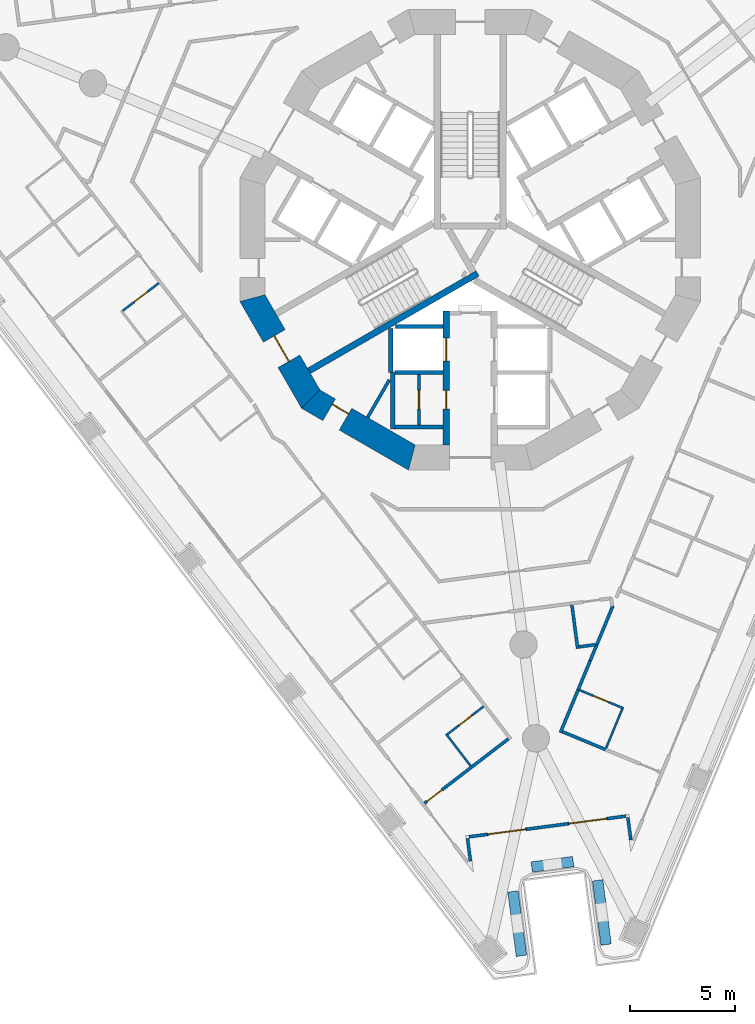
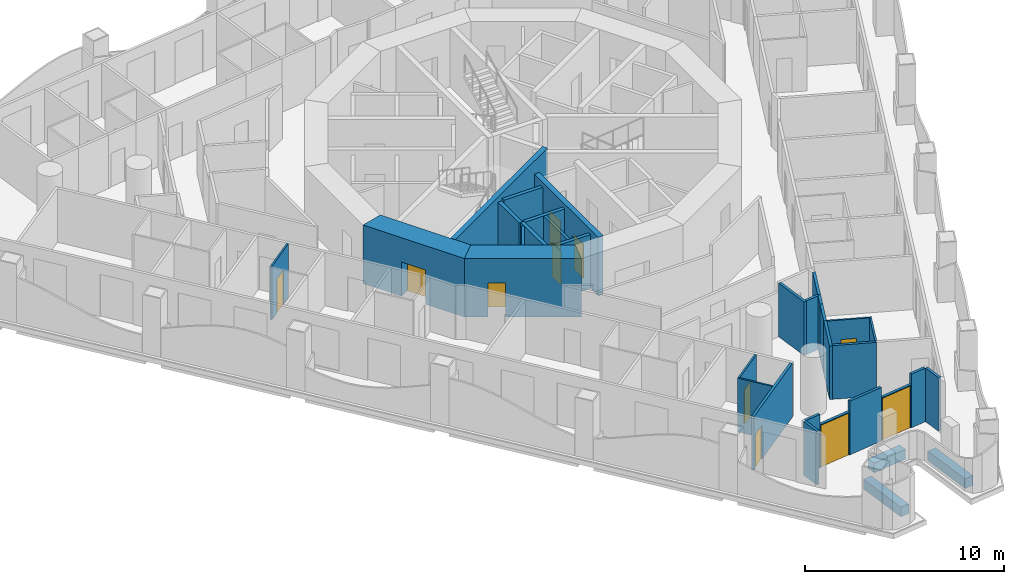
# One storey, part 3 of 19: 34 walls, 11 doors, 11 openings.
"""IFC4 building model written with IfcOpenShell, lengths in metres."""

from ifc_helpers import new_model, si_unit, direction, frame, frame_2d, origin, place, context, subcontext, project, spatial, polyline, rectangle, outline, extrude, material, layer, layer_set, type_object, element, fill, save


model = new_model("IFC4")

# Units and contexts
model_context = context("Model", 3, precision=1e-05, world=origin(), true_north=direction((0.0, 1.0)))
body_context = subcontext(model_context, "Body", "Model", "MODEL_VIEW")
ifc_project = project(units=[si_unit("LENGTHUNIT", "METRE"), si_unit("AREAUNIT", "SQUARE_METRE"), si_unit("VOLUMEUNIT", "CUBIC_METRE"), si_unit("PLANEANGLEUNIT", "RADIAN"), si_unit("MASSUNIT", "GRAM", prefix="KILO")], contexts=[model_context])

# Site, building, storey
site_placement = place(None, origin())
site = spatial("IfcSite", under=ifc_project, at=site_placement, CompositionType="ELEMENT")
building_placement = place(site_placement, origin())
building = spatial("IfcBuilding", under=site, at=building_placement, Name="Trine Commons Tower", CompositionType="ELEMENT")
storey_placement = place(building_placement, frame((0.0, 0.0, 64.800048828125)))
storey = spatial("IfcBuildingStorey", under=building, at=storey_placement, Name="L15", CompositionType="ELEMENT", Elevation=64.800048828125)

# Wall
ifc_material_1 = material(Name="Plasterboard partition on steel studs", Category="steel")
ifc_layer_1 = layer(ifc_material_1, 0.14990234375)
ifc_layer_set_1 = layer_set([ifc_layer_1], Name="Plasterboard partition on steel studs")
wall_type_1 = type_object("IfcWallType", Name="Core room partition 150 mm, EI 60", PredefinedType="PARTITIONING", material=ifc_layer_set_1)
wall_1_placement = place(storey_placement, frame((75.094970703125, 54.0029296875, 0.0), z_axis=(0.0, 0.0, 1.0), x_axis=(0.5000780968, 0.865980309881, 0.0)))
element("IfcWall", 1, at=wall_1_placement, inside=storey, type_object=wall_type_1, Name="Core room partition L15", PredefinedType="PARTITIONING", context=body_context, shape_type="SweptSolid", body=[
    extrude(rectangle(XDim=2.079833984375, YDim=0.14990234375, at=frame_2d((1.0400390625, 0.0))), origin(), (0.0, 0.0, 1.0), 3.300048828125),
])

# Wall, opening, door
wall_2_placement = place(storey_placement, frame((77.550048828125, 56.050048828125, 0.0), z_axis=(0.0, 0.0, 1.0), x_axis=(0.0, -1.0, 0.0)))
wall_2 = element("IfcWall", 2, at=wall_2_placement, inside=storey, type_object=wall_type_1, Name="Core room partition L15", PredefinedType="PARTITIONING", context=body_context, shape_type="SweptSolid", body=[
    extrude(rectangle(XDim=2.400146484375, YDim=0.14990234375, at=frame_2d((1.2001953125, 0.0))), origin(), (0.0, 0.0, 1.0), 3.300048828125),
])
opening_1_placement = place(wall_2_placement, frame((0.75, 0.0, 0.0)))
opening_1 = element("IfcOpeningElement", 3, at=opening_1_placement, cuts=wall_2, Name="Opening K06.11", PredefinedType="OPENING", context=body_context, shape_type="SweptSolid", body=[
    extrude(rectangle(XDim=0.89990234375, YDim=2.10009765625, at=frame_2d((0.449951171875, 1.050048828125))), frame((0.0, 0.0849609375, 0.0), z_axis=(0.0, -1.0, 0.0), x_axis=(1.0, 0.0, 0.0)), (0.0, 0.0, 1.0), 0.169921875),
])
ifc_material_2 = material(Name="Steel door leaf, fire-rated", Category="steel")
door_type_1 = type_object("IfcDoorType", Name="Core room door, single leaf 900 x 2100, FD30S", OperationType="SINGLE_SWING_LEFT", PredefinedType="DOOR", material=ifc_material_2)
door_1_placement = place(opening_1_placement, frame((0.89990234375, 0.0, 0.0), z_axis=(0.0, 0.0, 1.0), x_axis=(-1.0, 0.0, 0.0)))
door_1 = element("IfcDoor", 4, at=door_1_placement, inside=storey, type_object=door_type_1, Name="Door to Pantry L15", OperationType="SINGLE_SWING_LEFT", OverallHeight=2.10009765625, OverallWidth=0.89990234375, PredefinedType="DOOR", context=body_context, shape_type="SweptSolid", body=[
    extrude(rectangle(XDim=0.89990234375, YDim=2.10009765625, at=frame_2d((0.449951171875, 1.050048828125))), frame((0.0, 0.02490234375, 0.0), z_axis=(0.0, -1.0, 0.0), x_axis=(1.0, 0.0, 0.0)), (0.0, 0.0, 1.0), 0.050048828125),
])
fill(opening_1, door_1)

# Walls
ifc_material_3 = material(Name="Aluminium-framed insulated wall panel", Category="aluminium")
ifc_layer_2 = layer(ifc_material_3, 0.14990234375)
ifc_layer_set_2 = layer_set([ifc_layer_2], Name="Aluminium-framed insulated wall panel")
wall_type_2 = type_object("IfcWallType", Name="Glazed frame wall 150, EI 60", PredefinedType="SOLIDWALL", material=ifc_layer_set_2)
wall_3_placement = place(storey_placement, frame((87.6953125, 33.6591796875, 0.0), z_axis=(0.0, 0.0, 1.0), x_axis=(-0.130510858064, 0.991446880033, 0.0)))
element("IfcWall", 5, at=wall_3_placement, inside=storey, type_object=wall_type_2, Name="Glazed frame wall R9", PredefinedType="SOLIDWALL", context=body_context, shape_type="SweptSolid", body=[
    extrude(outline(polyline([(0.1494140625, 0.074951171875), (0.1494140625, -0.074951171875), (1.235107421875, -0.074951171875), (1.235107421875, 0.074951171875), (0.1494140625, 0.074951171875)])), origin(), (0.0, 0.0, 1.0), 3.300048828125),
])
wall_4_placement = place(storey_placement, frame((87.55908203125, 34.96240234375, 0.0), z_axis=(0.0, 0.0, 1.0), x_axis=(-0.991465094935, -0.130372410907, 0.0)))
element("IfcWall", 6, at=wall_4_placement, inside=storey, type_object=wall_type_2, Name="Glazed frame wall P3.1", PredefinedType="SOLIDWALL", context=body_context, shape_type="SweptSolid", body=[
    extrude(outline(polyline([(0.110107421875, -0.074951171875), (1.0, -0.074951171875), (1.0, 0.074951171875), (0.110107421875, 0.074951171875), (0.110107421875, -0.074951171875)])), origin(), (0.0, 0.0, 1.0), 3.300048828125),
])

# Wall, opening, door
wall_5_placement = place(storey_placement, frame((86.567626953125, 34.83203125, 0.0), z_axis=(0.0, 0.0, 1.0), x_axis=(-0.991442045538, -0.130547578832, 0.0)))
wall_5 = element("IfcWall", 7, at=wall_5_placement, inside=storey, type_object=wall_type_2, Name="Glazed frame wall P3.2", PredefinedType="SOLIDWALL", context=body_context, shape_type="SweptSolid", body=[
    extrude(outline(polyline([(0.0, -0.074951171875), (1.89990234375, -0.074951171875), (1.89990234375, 0.074951171875), (0.0, 0.074951171875), (0.0, -0.074951171875)])), origin(), (0.0, 0.0, 1.0), 2.64990234375),
])
opening_2_placement = place(wall_5_placement, frame((0.050048828125, 0.0, 0.0)))
opening_2 = element("IfcOpeningElement", 8, at=opening_2_placement, cuts=wall_5, Name="Opening BD-2P3-01", PredefinedType="OPENING", context=body_context, shape_type="SweptSolid", body=[
    extrude(rectangle(XDim=1.800048828125, YDim=2.60009765625, at=frame_2d((0.89990234375, 1.300048828125))), frame((0.0, 0.0849609375, 0.0), z_axis=(0.0, -1.0, 0.0), x_axis=(1.0, 0.0, 0.0)), (0.0, 0.0, 1.0), 0.169921875),
])
ifc_material_4 = material(Name="Anodised aluminium frame with double glazing", Category="aluminium")
door_type_2 = type_object("IfcDoorType", Name="Sliding loggia door 1800x2600", OperationType="SLIDING_TO_LEFT", PredefinedType="DOOR", material=ifc_material_4)
door_2_placement = place(opening_2_placement, origin())
door_2 = element("IfcDoor", 9, at=door_2_placement, inside=storey, type_object=door_type_2, Name="Loggia door P3 1", OperationType="SLIDING_TO_LEFT", OverallHeight=2.60009765625, OverallWidth=1.800048828125, PredefinedType="DOOR", context=body_context, shape_type="SweptSolid", body=[
    extrude(rectangle(XDim=1.800048828125, YDim=2.60009765625, at=frame_2d((0.89990234375, 1.300048828125))), frame((0.0, 0.02490234375, 0.0), z_axis=(0.0, -1.0, 0.0), x_axis=(1.0, 0.0, 0.0)), (0.0, 0.0, 1.0), 0.050048828125),
])
fill(opening_2, door_2)

# Wall
wall_6_placement = place(storey_placement, frame((84.683837890625, 34.583984375, 0.0), z_axis=(0.0, 0.0, 1.0), x_axis=(-0.991449308994, -0.130492404742, 0.0)))
element("IfcWall", 10, at=wall_6_placement, inside=storey, type_object=wall_type_2, Name="Glazed frame wall P3.3", PredefinedType="SOLIDWALL", context=body_context, shape_type="SweptSolid", body=[
    extrude(outline(polyline([(0.0, -0.074951171875), (2.0, -0.074951171875), (2.0, 0.074951171875), (0.0, 0.074951171875), (0.0, -0.074951171875)])), origin(), (0.0, 0.0, 1.0), 3.300048828125),
])

# Wall, opening, door
wall_7_placement = place(storey_placement, frame((82.700927734375, 34.322998046875, 0.0), z_axis=(0.0, 0.0, 1.0), x_axis=(-0.991442045538, -0.130547578832, 0.0)))
wall_7 = element("IfcWall", 11, at=wall_7_placement, inside=storey, type_object=wall_type_2, Name="Glazed frame wall P3.4", PredefinedType="SOLIDWALL", context=body_context, shape_type="SweptSolid", body=[
    extrude(outline(polyline([(0.0, -0.074951171875), (1.89990234375, -0.074951171875), (1.89990234375, 0.074951171875), (0.0, 0.074951171875), (0.0, -0.074951171875)])), origin(), (0.0, 0.0, 1.0), 2.64990234375),
])
opening_3_placement = place(wall_7_placement, frame((0.050048828125, 0.0, 0.0)))
opening_3 = element("IfcOpeningElement", 12, at=opening_3_placement, cuts=wall_7, Name="Opening BD-2P3-02", PredefinedType="OPENING", context=body_context, shape_type="SweptSolid", body=[
    extrude(rectangle(XDim=1.800048828125, YDim=2.60009765625, at=frame_2d((0.89990234375, 1.300048828125))), frame((0.0, 0.0849609375, 0.0), z_axis=(0.0, -1.0, 0.0), x_axis=(1.0, 0.0, 0.0)), (0.0, 0.0, 1.0), 0.169921875),
])
door_3_placement = place(opening_3_placement, origin())
door_3 = element("IfcDoor", 13, at=door_3_placement, inside=storey, type_object=door_type_2, Name="Loggia door P3 2", OperationType="SLIDING_TO_LEFT", OverallHeight=2.60009765625, OverallWidth=1.800048828125, PredefinedType="DOOR", context=body_context, shape_type="SweptSolid", body=[
    extrude(rectangle(XDim=1.800048828125, YDim=2.60009765625, at=frame_2d((0.89990234375, 1.300048828125))), frame((0.0, 0.02490234375, 0.0), z_axis=(0.0, -1.0, 0.0), x_axis=(1.0, 0.0, 0.0)), (0.0, 0.0, 1.0), 0.050048828125),
])
fill(opening_3, door_3)

# Walls
wall_8_placement = place(storey_placement, frame((80.817138671875, 34.074951171875, 0.0), z_axis=(0.0, 0.0, 1.0), x_axis=(-0.991433509034, -0.130612392842, 0.0)))
element("IfcWall", 14, at=wall_8_placement, inside=storey, type_object=wall_type_2, Name="Glazed frame wall P3.5", PredefinedType="SOLIDWALL", context=body_context, shape_type="SweptSolid", body=[
    extrude(outline(polyline([(0.889892578125, 0.074951171875), (0.0, 0.074951171875), (0.0, -0.074951171875), (0.889892578125, -0.074951171875), (0.889892578125, 0.074951171875)])), origin(), (0.0, 0.0, 1.0), 3.300048828125),
])
wall_9_placement = place(storey_placement, frame((79.85595703125, 33.983642578125, 0.0), z_axis=(0.0, 0.0, 1.0), x_axis=(0.130510858064, -0.991446880033, 0.0)))
element("IfcWall", 15, at=wall_9_placement, inside=storey, type_object=wall_type_2, Name="Glazed frame wall R11", PredefinedType="SOLIDWALL", context=body_context, shape_type="SweptSolid", body=[
    extrude(outline(polyline([(0.110107421875, 0.074951171875), (0.110107421875, -0.074951171875), (1.19580078125, -0.074951171875), (1.19580078125, 0.074951171875), (0.110107421875, 0.074951171875)])), origin(), (0.0, 0.0, 1.0), 3.300048828125),
])
ifc_material_5 = material(Name="Planter trough, precast concrete C40/50", Category="concrete")
ifc_layer_3 = layer(ifc_material_5, 0.5)
ifc_layer_set_3 = layer_set([ifc_layer_3], Name="Planter trough, precast concrete C40/50")
wall_type_3 = type_object("IfcWallType", Name="Planter trough 500x600", PredefinedType="PARAPET", material=ifc_layer_set_3)
wall_10_placement = place(storey_placement, frame((86.493408203125, 28.805908203125, 0.0), z_axis=(0.0, 0.0, 1.0), x_axis=(-0.130507484591, 0.9914473241, 0.0)))
element("IfcWall", 16, at=wall_10_placement, inside=storey, type_object=wall_type_3, Name="Planter 7", PredefinedType="PARAPET", context=body_context, shape_type="SweptSolid", body=[
    extrude(rectangle(XDim=3.099853515625, YDim=0.5, at=frame_2d((1.5498046875, 0.0))), origin(), (0.0, 0.0, 1.0), 0.599853515625),
])
wall_11_placement = place(storey_placement, frame((84.922119140625, 32.774658203125, 0.0), z_axis=(0.0, 0.0, 1.0), x_axis=(-0.991433509034, -0.130612392842, 0.0)))
element("IfcWall", 17, at=wall_11_placement, inside=storey, type_object=wall_type_3, Name="Planter 8", PredefinedType="PARAPET", context=body_context, shape_type="SweptSolid", body=[
    extrude(rectangle(XDim=2.0, YDim=0.5, at=frame_2d((1.0, 0.0))), origin(), (0.0, 0.0, 1.0), 0.599853515625),
])
wall_12_placement = place(storey_placement, frame((82.043701171875, 31.3466796875, 0.0), z_axis=(0.0, 0.0, 1.0), x_axis=(0.130574707151, -0.991438473054, 0.0)))
element("IfcWall", 18, at=wall_12_placement, inside=storey, type_object=wall_type_3, Name="Planter 9", PredefinedType="PARAPET", context=body_context, shape_type="SweptSolid", body=[
    extrude(rectangle(XDim=3.10009765625, YDim=0.5, at=frame_2d((1.550048828125, 0.0))), origin(), (0.0, 0.0, 1.0), 0.599853515625),
])

# Wall, opening, door
ifc_material_6 = material(Name="Concrete C80/95", Category="concrete")
ifc_layer_4 = layer(ifc_material_6, 1.199951171875)
ifc_layer_set_4 = layer_set([ifc_layer_4], Name="Concrete C80/95")
wall_type_4 = type_object("IfcWallType", Name="RC shear wall 1200 mm, C80/95", PredefinedType="SHEAR", material=ifc_layer_set_4)
wall_13_placement = place(storey_placement, frame((69.508056640625, 59.849609375, 0.0), z_axis=(0.0, 0.0, 1.0), x_axis=(0.499979111662, -0.866037463336, 0.0)))
wall_13 = element("IfcWall", 19, at=wall_13_placement, inside=storey, type_object=wall_type_4, Name="Core wall CWB-08 L15", PredefinedType="SHEAR", context=body_context, shape_type="SweptSolid", body=[
    extrude(outline(polyline([(0.0, -0.60009765625), (5.901123046875, -0.60009765625), (5.57958984375, 0.60009765625), (0.321533203125, 0.60009765625), (0.0, -0.60009765625)])), origin(), (0.0, 0.0, 1.0), 3.599853515625),
])
opening_4_placement = place(wall_13_placement, frame((2.25048828125, 0.0, 0.0)))
opening_4 = element("IfcOpeningElement", 20, at=opening_4_placement, cuts=wall_13, Name="Opening K06.02", PredefinedType="OPENING", context=body_context, shape_type="SweptSolid", body=[
    extrude(rectangle(XDim=1.39990234375, YDim=2.10009765625, at=frame_2d((0.699951171875, 1.050048828125))), frame((0.0, 0.60986328125, 0.0), z_axis=(0.0, -1.0, 0.0), x_axis=(1.0, 0.0, 0.0)), (0.0, 0.0, 1.0), 1.219970703125),
])
ifc_material_7 = material(Name="Steel door leaves, fire-rated", Category="steel")
door_type_3 = type_object("IfcDoorType", Name="Stair door, double leaf 1400 x 2100, FD90", OperationType="DOUBLE_DOOR_SINGLE_SWING", PredefinedType="DOOR", material=ifc_material_7)
door_4_placement = place(opening_4_placement, origin())
door_4 = element("IfcDoor", 21, at=door_4_placement, inside=storey, type_object=door_type_3, Name="Stair door to Exit stair ST2A L15", OperationType="DOUBLE_DOOR_SINGLE_SWING", OverallHeight=2.10009765625, OverallWidth=1.39990234375, PredefinedType="DOOR", context=body_context, shape_type="SweptSolid", body=[
    extrude(rectangle(XDim=1.39990234375, YDim=2.10009765625, at=frame_2d((0.699951171875, 1.050048828125))), frame((0.0, 0.02490234375, 0.0), z_axis=(0.0, -1.0, 0.0), x_axis=(1.0, 0.0, 0.0)), (0.0, 0.0, 1.0), 0.050048828125),
])
fill(opening_4, door_4)

wall_14_placement = place(storey_placement, frame((72.239013671875, 54.95849609375, 0.0), z_axis=(0.0, 0.0, 1.0), x_axis=(0.866037463336, -0.499979111662, 0.0)))
wall_14 = element("IfcWall", 22, at=wall_14_placement, inside=storey, type_object=wall_type_4, Name="Core wall CWB-09 L15", PredefinedType="SHEAR", context=body_context, shape_type="SweptSolid", body=[
    extrude(outline(polyline([(0.0, -0.60009765625), (5.901123046875, -0.60009765625), (5.57958984375, 0.60009765625), (0.321533203125, 0.60009765625), (0.0, -0.60009765625)])), origin(), (0.0, 0.0, 1.0), 3.599853515625),
])
opening_5_placement = place(wall_14_placement, frame((1.176513671875, 0.0, 0.0)))
opening_5 = element("IfcOpeningElement", 23, at=opening_5_placement, cuts=wall_14, Name="Opening K06.15", PredefinedType="OPENING", context=body_context, shape_type="SweptSolid", body=[
    extrude(rectangle(XDim=0.89990234375, YDim=2.10009765625, at=frame_2d((0.449951171875, 1.050048828125))), frame((0.0, 0.60986328125, 0.0), z_axis=(0.0, -1.0, 0.0), x_axis=(1.0, 0.0, 0.0)), (0.0, 0.0, 1.0), 1.219970703125),
])
door_5_placement = place(opening_5_placement, origin())
door_5 = element("IfcDoor", 24, at=door_5_placement, inside=storey, type_object=door_type_1, Name="Door to Print room L15", OperationType="SINGLE_SWING_LEFT", OverallHeight=2.10009765625, OverallWidth=0.89990234375, PredefinedType="DOOR", context=body_context, shape_type="SweptSolid", body=[
    extrude(rectangle(XDim=0.89990234375, YDim=2.10009765625, at=frame_2d((0.449951171875, 1.050048828125))), frame((0.0, 0.3251953125, 0.0), z_axis=(0.0, -1.0, 0.0), x_axis=(1.0, 0.0, 0.0)), (0.0, 0.0, 1.0), 0.050048828125),
])
fill(opening_5, door_5)

# Wall, openings, doors
ifc_layer_5 = layer(ifc_material_6, 0.300048828125)
ifc_layer_set_5 = layer_set([ifc_layer_5], Name="Concrete C80/95")
wall_type_5 = type_object("IfcWallType", Name="RC shear wall 300 mm, C80/95", PredefinedType="SHEAR", material=ifc_layer_set_5)
wall_15_placement = place(storey_placement, frame((78.85009765625, 59.10009765625, 0.0), z_axis=(0.0, 0.0, 1.0), x_axis=(0.0, -1.0, 0.0)))
wall_15 = element("IfcWall", 25, at=wall_15_placement, inside=storey, type_object=wall_type_5, Name="Core cross wall SWA-03 L15", PredefinedType="SHEAR", context=body_context, shape_type="SweptSolid", body=[
    extrude(rectangle(XDim=6.412109375, YDim=0.300048828125, at=frame_2d((3.2060546875, 0.0))), origin(), (0.0, 0.0, 1.0), 3.599853515625),
])
opening_6_placement = place(wall_15_placement, frame((3.800048828125, 0.0, 0.0)))
opening_6 = element("IfcOpeningElement", 26, at=opening_6_placement, cuts=wall_15, Name="Opening K06.10", PredefinedType="OPENING", context=body_context, shape_type="SweptSolid", body=[
    extrude(rectangle(XDim=0.89990234375, YDim=2.10009765625, at=frame_2d((0.449951171875, 1.050048828125))), frame((0.0, 0.159912109375, 0.0), z_axis=(0.0, -1.0, 0.0), x_axis=(1.0, 0.0, 0.0)), (0.0, 0.0, 1.0), 0.320068359375),
])
opening_7_placement = place(wall_15_placement, frame((1.300048828125, 0.0, 0.0)))
opening_7 = element("IfcOpeningElement", 27, at=opening_7_placement, cuts=wall_15, Name="Opening LD10", PredefinedType="OPENING", context=body_context, shape_type="SweptSolid", body=[
    extrude(rectangle(XDim=1.10009765625, YDim=2.10009765625, at=frame_2d((0.550048828125, 1.050048828125))), frame((0.0, 0.159912109375, 0.0), z_axis=(0.0, -1.0, 0.0), x_axis=(1.0, 0.0, 0.0)), (0.0, 0.0, 1.0), 0.320068359375),
])
door_6_placement = place(opening_6_placement, frame((0.89990234375, 0.0, 0.0), z_axis=(0.0, 0.0, 1.0), x_axis=(-1.0, 0.0, 0.0)))
door_6 = element("IfcDoor", 28, at=door_6_placement, inside=storey, type_object=door_type_1, Name="Door to Linen store L15", OperationType="SINGLE_SWING_RIGHT", OverallHeight=2.10009765625, OverallWidth=0.89990234375, PredefinedType="DOOR", context=body_context, shape_type="SweptSolid", body=[
    extrude(rectangle(XDim=0.89990234375, YDim=2.10009765625, at=frame_2d((0.449951171875, 1.050048828125))), frame((0.0, 0.02490234375, 0.0), z_axis=(0.0, -1.0, 0.0), x_axis=(1.0, 0.0, 0.0)), (0.0, 0.0, 1.0), 0.050048828125),
])
fill(opening_6, door_6)
ifc_material_8 = material(Name="Stainless steel sliding door leaves", Category="steel")
door_type_4 = type_object("IfcDoorType", Name="Lift landing door, centre-opening sliding 1100 x 2100, FD90", OperationType="DOUBLE_DOOR_SLIDING", PredefinedType="DOOR", material=ifc_material_8)
door_7_placement = place(opening_7_placement, origin())
door_7 = element("IfcDoor", 29, at=door_7_placement, inside=storey, type_object=door_type_4, Name="Lift landing door FF2 L15", OperationType="DOUBLE_DOOR_SLIDING", OverallHeight=2.10009765625, OverallWidth=1.10009765625, PredefinedType="DOOR", context=body_context, shape_type="SweptSolid", body=[
    extrude(rectangle(XDim=1.10009765625, YDim=2.10009765625, at=frame_2d((0.550048828125, 1.050048828125))), frame((0.0, 0.02490234375, 0.0), z_axis=(0.0, -1.0, 0.0), x_axis=(1.0, 0.0, 0.0)), (0.0, 0.0, 1.0), 0.050048828125),
])
fill(opening_7, door_7)

# Walls
wall_16_placement = place(storey_placement, frame((80.35400390625, 60.885986328125, 0.0), z_axis=(0.0, 0.0, 1.0), x_axis=(-0.865986456211, -0.50006745311, 0.0)))
element("IfcWall", 30, at=wall_16_placement, inside=storey, type_object=wall_type_5, Name="Core cross wall SWA-14 L15", PredefinedType="SHEAR", context=body_context, shape_type="SweptSolid", body=[
    extrude(rectangle(XDim=9.310791015625, YDim=0.300048828125, at=frame_2d((4.6552734375, 0.0))), origin(), (0.0, 0.0, 1.0), 3.599853515625),
])
ifc_material_9 = material(Name="Fire-rated gypsum shaft wall system")
ifc_layer_6 = layer(ifc_material_9, 0.199951171875)
ifc_layer_set_6 = layer_set([ifc_layer_6], Name="Fire-rated gypsum shaft wall system")
wall_type_6 = type_object("IfcWallType", Name="Shaft wall 200 mm, EI 120", PredefinedType="PARTITIONING", material=ifc_layer_set_6)
wall_17_placement = place(storey_placement, frame((76.199951171875, 58.256103515625, 0.0), z_axis=(0.0, 0.0, 1.0), x_axis=(0.0, -1.0, 0.0)))
element("IfcWall", 31, at=wall_17_placement, inside=storey, type_object=wall_type_6, Name="Shaft wall L15", PredefinedType="PARTITIONING", context=body_context, shape_type="SweptSolid", body=[
    extrude(rectangle(XDim=2.106201171875, YDim=0.199951171875, at=frame_2d((1.05322265625, 0.0))), origin(), (0.0, 0.0, 1.0), 3.300048828125),
])
wall_18_placement = place(storey_placement, frame((76.300048828125, 56.14990234375, 0.0), z_axis=(0.0, 0.0, 1.0), x_axis=(0.0, -1.0, 0.0)))
element("IfcWall", 32, at=wall_18_placement, inside=storey, type_object=wall_type_6, Name="Shaft wall L15", PredefinedType="PARTITIONING", context=body_context, shape_type="SweptSolid", body=[
    extrude(rectangle(XDim=2.699951171875, YDim=0.199951171875, at=frame_2d((1.35009765625, 0.0))), origin(), (0.0, 0.0, 1.0), 3.300048828125),
])
for number, where, z_axis, x_axis, name in (
    (33, (78.699951171875, 53.550048828125, 0.0), (0.0, 0.0, 1.0), (-1.0, 0.0, 0.0), "Shaft wall L15"),
    (34, (78.699951171875, 56.14990234375, 0.0), (0.0, 0.0, 1.0), (-1.0, 0.0, 0.0), "Shaft wall L15"),
):
    element("IfcWall", number, at=place(storey_placement, frame(where, z_axis=z_axis, x_axis=x_axis)), inside=storey, type_object=wall_type_6, Name=name, PredefinedType="PARTITIONING", context=body_context, shape_type="SweptSolid", body=[
        extrude(rectangle(XDim=2.300048828125, YDim=0.199951171875, at=frame_2d((1.14990234375, 0.0))), origin(), (0.0, 0.0, 1.0), 3.300048828125),
    ])
wall_19_placement = place(storey_placement, frame((78.699951171875, 58.35009765625, 0.0), z_axis=(0.0, 0.0, 1.0), x_axis=(-1.0, 0.0, 0.0)))
element("IfcWall", 35, at=wall_19_placement, inside=storey, type_object=wall_type_6, Name="Shaft wall L15", PredefinedType="PARTITIONING", context=body_context, shape_type="SweptSolid", body=[
    extrude(rectangle(XDim=2.264892578125, YDim=0.199951171875, at=frame_2d((1.13232421875, 0.0))), origin(), (0.0, 0.0, 1.0), 3.300048828125),
])

# Wall, opening, door
ifc_material_10 = material(Name="Gypsum plasterboard on steel stud", Category="steel")
ifc_layer_7 = layer(ifc_material_10, 0.14990234375)
ifc_layer_set_7 = layer_set([ifc_layer_7], Name="Gypsum plasterboard on steel stud")
wall_type_7 = type_object("IfcWallType", Name="Unit and corridor wall 150 mm, EI 60", PredefinedType="PARTITIONING", material=ifc_layer_set_7)
wall_20_placement = place(storey_placement, frame((77.810791015625, 35.560302734375, 0.0), z_axis=(0.0, 0.0, 1.0), x_axis=(0.793261664916, 0.60888088406, 0.0)))
wall_20 = element("IfcWall", 36, at=wall_20_placement, inside=storey, type_object=wall_type_7, Name="Partition 074", PredefinedType="PARTITIONING", context=body_context, shape_type="SweptSolid", body=[
    extrude(rectangle(XDim=5.0634765625, YDim=0.14990234375, at=frame_2d((2.53173828125, 0.0))), origin(), (0.0, 0.0, 1.0), 3.300048828125),
])
opening_8_placement = place(wall_20_placement, frame((0.14990234375, 0.0, 0.0)))
opening_8 = element("IfcOpeningElement", 37, at=opening_8_placement, cuts=wall_20, Name="Opening D-2B23", PredefinedType="OPENING", context=body_context, shape_type="SweptSolid", body=[
    extrude(rectangle(XDim=0.89990234375, YDim=2.10009765625, at=frame_2d((0.449951171875, 1.050048828125))), frame((0.0, 0.0849609375, 0.0), z_axis=(0.0, -1.0, 0.0), x_axis=(1.0, 0.0, 0.0)), (0.0, 0.0, 1.0), 0.169921875),
])
ifc_material_11 = material(Name="Timber fire door set", Category="wood")
door_type_5 = type_object("IfcDoorType", Name="Bedroom door 900 x 2100, FD30S", OperationType="NOTDEFINED", PredefinedType="DOOR", material=ifc_material_11)
door_8_placement = place(opening_8_placement, origin())
door_8 = element("IfcDoor", 38, at=door_8_placement, inside=storey, type_object=door_type_5, Name="Door D-2B23", OperationType="SINGLE_SWING_LEFT", OverallHeight=2.10009765625, OverallWidth=0.89990234375, PredefinedType="DOOR", context=body_context, shape_type="SweptSolid", body=[
    extrude(rectangle(XDim=0.89990234375, YDim=2.10009765625, at=frame_2d((0.449951171875, 1.050048828125))), frame((0.0, 0.02490234375, 0.0), z_axis=(0.0, -1.0, 0.0), x_axis=(1.0, 0.0, 0.0)), (0.0, 0.0, 1.0), 0.050048828125),
])
fill(opening_8, door_8)

# Walls
wall_21_placement = place(storey_placement, frame((84.310302734375, 38.941650390625, 0.0), z_axis=(0.0, 0.0, 1.0), x_axis=(0.382789938294, 0.923835409118, 0.0)))
element("IfcWall", 39, at=wall_21_placement, inside=storey, type_object=wall_type_7, Name="Partition 085", PredefinedType="PARTITIONING", context=body_context, shape_type="SweptSolid", body=[
    extrude(rectangle(XDim=2.280029296875, YDim=0.14990234375, at=frame_2d((1.14013671875, 0.0))), origin(), (0.0, 0.0, 1.0), 3.300048828125),
])
wall_22_placement = place(storey_placement, frame((84.408203125, 38.982421875, 0.0), z_axis=(0.0, 0.0, 1.0), x_axis=(0.923765743921, -0.382958026888, 0.0)))
element("IfcWall", 40, at=wall_22_placement, inside=storey, type_object=wall_type_7, Name="Partition 086", PredefinedType="PARTITIONING", context=body_context, shape_type="SweptSolid", body=[
    extrude(rectangle(XDim=2.228759765625, YDim=0.14990234375, at=frame_2d((1.1142578125, 0.0))), origin(), (0.0, 0.0, 1.0), 3.300048828125),
])
wall_23_placement = place(storey_placement, frame((84.86083984375, 45.03759765625, 0.0), z_axis=(0.0, 0.0, 1.0), x_axis=(0.130899564309, -0.991395634479, 0.0)))
element("IfcWall", 41, at=wall_23_placement, inside=storey, type_object=wall_type_7, Name="Partition 088", PredefinedType="PARTITIONING", context=body_context, shape_type="SweptSolid", body=[
    extrude(rectangle(XDim=2.10009765625, YDim=0.14990234375, at=frame_2d((1.050048828125, 0.0))), origin(), (0.0, 0.0, 1.0), 3.300048828125),
])
wall_24_placement = place(storey_placement, frame((85.200439453125, 43.039794921875, 0.0), z_axis=(0.0, 0.0, 1.0), x_axis=(0.991515431038, 0.129989038049, 0.0)))
element("IfcWall", 42, at=wall_24_placement, inside=storey, type_object=wall_type_7, Name="Partition 089", PredefinedType="PARTITIONING", context=body_context, shape_type="SweptSolid", body=[
    extrude(rectangle(XDim=0.786865234375, YDim=0.14990234375, at=frame_2d((0.3935546875, 0.0))), origin(), (0.0, 0.0, 1.0), 3.300048828125),
])
wall_25_placement = place(storey_placement, frame((85.160888671875, 40.993896484375, 0.0), z_axis=(0.0, 0.0, 1.0), x_axis=(0.382519732759, 0.923947322118, 0.0)))
element("IfcWall", 43, at=wall_25_placement, inside=storey, type_object=wall_type_7, Name="Partition 090", PredefinedType="PARTITIONING", context=body_context, shape_type="SweptSolid", body=[
    extrude(rectangle(XDim=1.498046875, YDim=0.14990234375, at=frame_2d((0.7490234375, 0.0))), origin(), (0.0, 0.0, 1.0), 3.300048828125),
])
wall_26_placement = place(storey_placement, frame((85.73388671875, 42.3779296875, 0.0), z_axis=(0.0, 0.0, 1.0), x_axis=(0.383063523393, 0.923722002036, 0.0)))
element("IfcWall", 44, at=wall_26_placement, inside=storey, type_object=wall_type_7, Name="Partition 095", PredefinedType="PARTITIONING", context=body_context, shape_type="SweptSolid", body=[
    extrude(rectangle(XDim=0.838134765625, YDim=0.14990234375, at=frame_2d((0.4189453125, 0.0))), origin(), (0.0, 0.0, 1.0), 3.300048828125),
])
wall_27_placement = place(storey_placement, frame((86.054931640625, 43.152099609375, 0.0), z_axis=(0.0, 0.0, 1.0), x_axis=(0.382829605696, 0.923818971987, 0.0)))
element("IfcWall", 45, at=wall_27_placement, inside=storey, type_object=wall_type_7, Name="Partition 096", PredefinedType="PARTITIONING", context=body_context, shape_type="SweptSolid", body=[
    extrude(rectangle(XDim=2.00048828125, YDim=0.14990234375, at=frame_2d((1.000244140625, 0.0))), origin(), (0.0, 0.0, 1.0), 3.300048828125),
])

# Wall, opening, door
ifc_layer_8 = layer(ifc_material_10, 0.10009765625)
ifc_layer_set_8 = layer_set([ifc_layer_8], Name="Gypsum plasterboard on steel stud")
wall_type_8 = type_object("IfcWallType", Name="Unit partition 100 mm, no rating", PredefinedType="PARTITIONING", material=ifc_layer_set_8)
wall_28_placement = place(storey_placement, frame((63.388671875, 59.101318359375, 0.0), z_axis=(0.0, 0.0, 1.0), x_axis=(0.79342025342, 0.608674216197, 0.0)))
wall_28 = element("IfcWall", 46, at=wall_28_placement, inside=storey, type_object=wall_type_8, Name="Partition 024", PredefinedType="PARTITIONING", context=body_context, shape_type="SweptSolid", body=[
    extrude(rectangle(XDim=2.17529296875, YDim=0.10009765625, at=frame_2d((1.087646484375, 0.0))), origin(), (0.0, 0.0, 1.0), 3.300048828125),
])
opening_9_placement = place(wall_28_placement, frame((0.6875, 0.0, 0.0)))
opening_9 = element("IfcOpeningElement", 47, at=opening_9_placement, cuts=wall_28, Name="Opening D-2B55", PredefinedType="OPENING", context=body_context, shape_type="SweptSolid", body=[
    extrude(rectangle(XDim=0.800048828125, YDim=2.10009765625, at=frame_2d((0.39990234375, 1.050048828125))), frame((0.0, 0.06005859375, 0.0), z_axis=(0.0, -1.0, 0.0), x_axis=(1.0, 0.0, 0.0)), (0.0, 0.0, 1.0), 0.1201171875),
])
ifc_material_12 = material(Name="Painted timber", Category="wood")
door_type_6 = type_object("IfcDoorType", Name="Internal door 800 x 2100, NOT RATED", OperationType="NOTDEFINED", PredefinedType="DOOR", material=ifc_material_12)
door_9_placement = place(opening_9_placement, origin())
door_9 = element("IfcDoor", 48, at=door_9_placement, inside=storey, type_object=door_type_6, Name="Door D-2B55", OperationType="SINGLE_SWING_RIGHT", OverallHeight=2.10009765625, OverallWidth=0.800048828125, PredefinedType="DOOR", context=body_context, shape_type="SweptSolid", body=[
    extrude(rectangle(XDim=0.800048828125, YDim=2.10009765625, at=frame_2d((0.39990234375, 1.050048828125))), frame((0.0, 0.02490234375, 0.0), z_axis=(0.0, -1.0, 0.0), x_axis=(1.0, 0.0, 0.0)), (0.0, 0.0, 1.0), 0.050048828125),
])
fill(opening_9, door_9)

# Wall
wall_29_placement = place(storey_placement, frame((78.845703125, 38.875732421875, 0.0), z_axis=(0.0, 0.0, 1.0), x_axis=(0.608649853766, -0.793438942522, 0.0)))
element("IfcWall", 49, at=wall_29_placement, inside=storey, type_object=wall_type_8, Name="Partition 077", PredefinedType="PARTITIONING", context=body_context, shape_type="SweptSolid", body=[
    extrude(rectangle(XDim=1.925048828125, YDim=0.10009765625, at=frame_2d((0.96240234375, 0.0))), origin(), (0.0, 0.0, 1.0), 3.300048828125),
])

# Wall, opening, door
wall_30_placement = place(storey_placement, frame((78.915771484375, 38.866455078125, 0.0), z_axis=(0.0, 0.0, 1.0), x_axis=(0.793266438723, 0.608874664603, 0.0)))
wall_30 = element("IfcWall", 50, at=wall_30_placement, inside=storey, type_object=wall_type_8, Name="Partition 078", PredefinedType="PARTITIONING", context=body_context, shape_type="SweptSolid", body=[
    extrude(rectangle(XDim=2.174072265625, YDim=0.10009765625, at=frame_2d((1.0869140625, 0.0))), origin(), (0.0, 0.0, 1.0), 3.300048828125),
])
opening_10_placement = place(wall_30_placement, frame((0.687255859375, 0.0, 0.0)))
opening_10 = element("IfcOpeningElement", 51, at=opening_10_placement, cuts=wall_30, Name="Opening D-2B51", PredefinedType="OPENING", context=body_context, shape_type="SweptSolid", body=[
    extrude(rectangle(XDim=0.800048828125, YDim=2.10009765625, at=frame_2d((0.39990234375, 1.050048828125))), frame((0.0, 0.06005859375, 0.0), z_axis=(0.0, -1.0, 0.0), x_axis=(1.0, 0.0, 0.0)), (0.0, 0.0, 1.0), 0.1201171875),
])
door_10_placement = place(opening_10_placement, origin())
door_10 = element("IfcDoor", 52, at=door_10_placement, inside=storey, type_object=door_type_6, Name="Door D-2B51", OperationType="SINGLE_SWING_RIGHT", OverallHeight=2.10009765625, OverallWidth=0.800048828125, PredefinedType="DOOR", context=body_context, shape_type="SweptSolid", body=[
    extrude(rectangle(XDim=0.800048828125, YDim=2.10009765625, at=frame_2d((0.39990234375, 1.050048828125))), frame((0.0, 0.02490234375, 0.0), z_axis=(0.0, -1.0, 0.0), x_axis=(1.0, 0.0, 0.0)), (0.0, 0.0, 1.0), 0.050048828125),
])
fill(opening_10, door_10)

wall_31_placement = place(storey_placement, frame((85.231201171875, 40.96923828125, 0.0), z_axis=(0.0, 0.0, 1.0), x_axis=(0.923931833824, -0.382557141415, 0.0)))
wall_31 = element("IfcWall", 53, at=wall_31_placement, inside=storey, type_object=wall_type_8, Name="Partition 092", PredefinedType="PARTITIONING", context=body_context, shape_type="SweptSolid", body=[
    extrude(rectangle(XDim=2.275146484375, YDim=0.10009765625, at=frame_2d((1.1376953125, 0.0))), origin(), (0.0, 0.0, 1.0), 3.300048828125),
])
opening_11_placement = place(wall_31_placement, frame((0.71240234375, 0.0, 0.0)))
opening_11 = element("IfcOpeningElement", 54, at=opening_11_placement, cuts=wall_31, Name="Opening D-2B50", PredefinedType="OPENING", context=body_context, shape_type="SweptSolid", body=[
    extrude(rectangle(XDim=0.800048828125, YDim=2.10009765625, at=frame_2d((0.39990234375, 1.050048828125))), frame((0.0, 0.06005859375, 0.0), z_axis=(0.0, -1.0, 0.0), x_axis=(1.0, 0.0, 0.0)), (0.0, 0.0, 1.0), 0.1201171875),
])
door_11_placement = place(opening_11_placement, origin())
door_11 = element("IfcDoor", 55, at=door_11_placement, inside=storey, type_object=door_type_6, Name="Door D-2B50", OperationType="SINGLE_SWING_LEFT", OverallHeight=2.10009765625, OverallWidth=0.800048828125, PredefinedType="DOOR", context=body_context, shape_type="SweptSolid", body=[
    extrude(rectangle(XDim=0.800048828125, YDim=2.10009765625, at=frame_2d((0.39990234375, 1.050048828125))), frame((0.0, 0.02490234375, 0.0), z_axis=(0.0, -1.0, 0.0), x_axis=(1.0, 0.0, 0.0)), (0.0, 0.0, 1.0), 0.050048828125),
])
fill(opening_11, door_11)

# Wall
wall_32_placement = place(storey_placement, frame((86.49267578125, 38.2001953125, 0.0), z_axis=(0.0, 0.0, 1.0), x_axis=(0.382646278951, 0.923894921084, 0.0)))
element("IfcWall", 56, at=wall_32_placement, inside=storey, type_object=wall_type_8, Name="Partition 098", PredefinedType="PARTITIONING", context=body_context, shape_type="SweptSolid", body=[
    extrude(rectangle(XDim=2.025634765625, YDim=0.10009765625, at=frame_2d((1.0126953125, 0.0))), origin(), (0.0, 0.0, 1.0), 3.300048828125),
])

save(model, "model.ifc")
